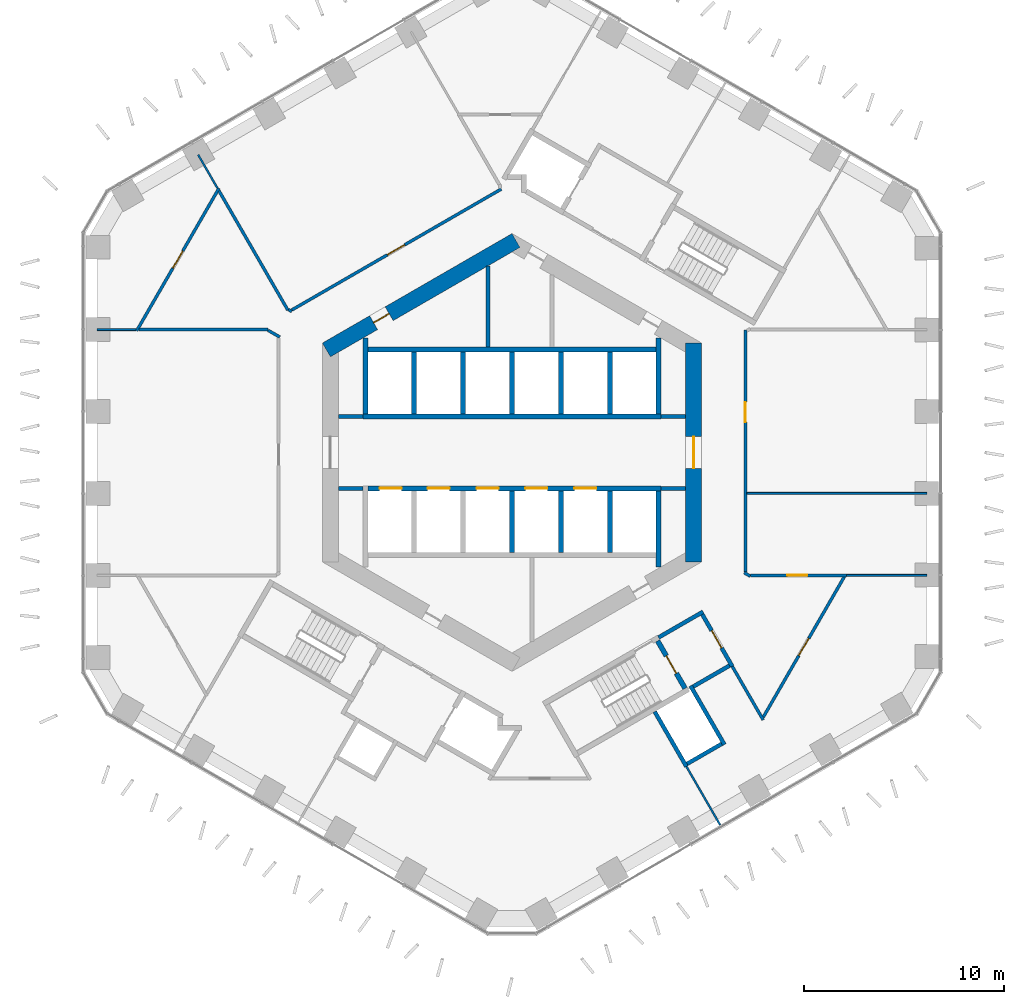
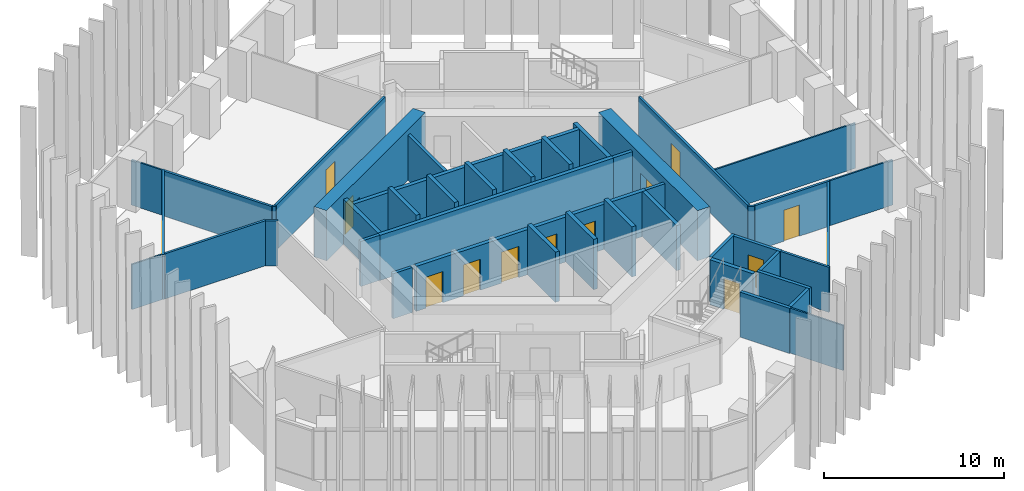
# One storey, part 13 of 18: 44 walls, 14 doors, 14 openings.
"""IFC4 building model written with IfcOpenShell, lengths in metres."""

from ifc_helpers import new_model, si_unit, direction, frame, frame_2d, origin, place, context, subcontext, project, spatial, rectangle, extrude, material, layer, layer_set, type_object, element, fill, save


model = new_model("IFC4")

# Units and contexts
model_context = context("Model", 3, precision=1e-05, world=origin(), true_north=direction((0.0, 1.0)))
body_context = subcontext(model_context, "Body", "Model", "MODEL_VIEW")
ifc_project = project(units=[si_unit("LENGTHUNIT", "METRE"), si_unit("AREAUNIT", "SQUARE_METRE"), si_unit("VOLUMEUNIT", "CUBIC_METRE"), si_unit("PLANEANGLEUNIT", "RADIAN"), si_unit("MASSUNIT", "GRAM", prefix="KILO")], contexts=[model_context])

# Site, building, storey
site_placement = place(None, origin())
site = spatial("IfcSite", under=ifc_project, at=site_placement, CompositionType="ELEMENT")
building_placement = place(site_placement, origin())
building = spatial("IfcBuilding", under=site, at=building_placement, Name="Ayvan Gate Tower", CompositionType="ELEMENT")
storey_placement = place(building_placement, frame((0.0, 0.0, 25.5)))
storey = spatial("IfcBuildingStorey", under=building, at=storey_placement, Name="L05", CompositionType="ELEMENT", Elevation=25.5)

# Wall, opening, door
ifc_material_1 = material(Name="Concrete C70/85", Category="concrete")
ifc_layer_1 = layer(ifc_material_1, 0.800048828125)
ifc_layer_set_1 = layer_set([ifc_layer_1], Name="Concrete C70/85")
wall_type_1 = type_object("IfcWallType", Name="Core wall 800 C70/85", PredefinedType="SHEAR", material=ifc_layer_set_1)
wall_1_placement = place(storey_placement, frame((9.10009765625, -5.48486328125, 0.0), z_axis=(0.0, 0.0, 1.0), x_axis=(0.0, 1.0, 0.0)))
wall_1 = element("IfcWall", 1, at=wall_1_placement, inside=storey, type_object=wall_type_1, Name="CORE-L05-0", PredefinedType="SHEAR", context=body_context, shape_type="SweptSolid", body=[
    extrude(rectangle(XDim=10.9697265625, YDim=0.800048828125, at=frame_2d((5.48486328125, 0.0))), origin(), (0.0, 0.0, 1.0), 3.39990234375),
])
opening_1_placement = place(wall_1_placement, frame((4.684814453125, 0.0, 0.0)))
opening_1 = element("IfcOpeningElement", 2, at=opening_1_placement, cuts=wall_1, Name="Opening L05-D35", PredefinedType="OPENING", context=body_context, shape_type="SweptSolid", body=[
    extrude(rectangle(XDim=1.60009765625, YDim=2.10009765625, at=frame_2d((0.800048828125, 1.050048828125))), frame((0.0, 0.409912109375, 0.0), z_axis=(0.0, -1.0, 0.0), x_axis=(1.0, 0.0, 0.0)), (0.0, 0.0, 1.0), 0.820068359375),
])
ifc_material_2 = material(Name="Timber door leaf", Category="wood")
door_type_1 = type_object("IfcDoorType", Name="DT-1600", OperationType="NOTDEFINED", PredefinedType="DOOR", material=ifc_material_2)
door_1_placement = place(opening_1_placement, origin())
door_1 = element("IfcDoor", 3, at=door_1_placement, inside=storey, type_object=door_type_1, Name="CD-L05-35", OperationType="SINGLE_SWING_RIGHT", OverallHeight=2.10009765625, OverallWidth=1.60009765625, PredefinedType="DOOR", context=body_context, shape_type="SweptSolid", body=[
    extrude(rectangle(XDim=1.60009765625, YDim=2.10009765625, at=frame_2d((0.800048828125, 1.050048828125))), frame((0.0, 0.02490234375, 0.0), z_axis=(0.0, -1.0, 0.0), x_axis=(1.0, 0.0, 0.0)), (0.0, 0.0, 1.0), 0.050048828125),
])
fill(opening_1, door_1)

wall_2_placement = place(storey_placement, frame((0.199951171875, 10.623291015625, 0.0), z_axis=(0.0, 0.0, 1.0), x_axis=(-0.866023993627, -0.500002442456, 0.0)))
wall_2 = element("IfcWall", 4, at=wall_2_placement, inside=storey, type_object=wall_type_1, Name="CORE-L05-2", PredefinedType="SHEAR", context=body_context, shape_type="SweptSolid", body=[
    extrude(rectangle(XDim=10.9697265625, YDim=0.800048828125, at=frame_2d((5.48486328125, 0.0))), origin(), (0.0, 0.0, 1.0), 3.39990234375),
])
opening_2_placement = place(wall_2_placement, frame((7.339111328125, 0.0, 0.0)))
opening_2 = element("IfcOpeningElement", 5, at=opening_2_placement, cuts=wall_2, Name="Opening L05-D30", PredefinedType="OPENING", context=body_context, shape_type="SweptSolid", body=[
    extrude(rectangle(XDim=0.89990234375, YDim=2.10009765625, at=frame_2d((0.449951171875, 1.050048828125))), frame((0.0, 0.409912109375, 0.0), z_axis=(0.0, -1.0, 0.0), x_axis=(1.0, 0.0, 0.0)), (0.0, 0.0, 1.0), 0.820068359375),
])
door_type_2 = type_object("IfcDoorType", Name="DT-900", OperationType="NOTDEFINED", PredefinedType="DOOR", material=ifc_material_2)
door_2_placement = place(opening_2_placement, origin())
door_2 = element("IfcDoor", 6, at=door_2_placement, inside=storey, type_object=door_type_2, Name="CD-L05-30", OperationType="SINGLE_SWING_LEFT", OverallHeight=2.10009765625, OverallWidth=0.89990234375, PredefinedType="DOOR", context=body_context, shape_type="SweptSolid", body=[
    extrude(rectangle(XDim=0.89990234375, YDim=2.10009765625, at=frame_2d((0.449951171875, 1.050048828125))), frame((0.0, 0.02490234375, 0.0), z_axis=(0.0, -1.0, 0.0), x_axis=(1.0, 0.0, 0.0)), (0.0, 0.0, 1.0), 0.050048828125),
])
fill(opening_2, door_2)

ifc_material_3 = material(Name="Plasterboard on steel stud", Category="steel")
ifc_layer_2 = layer(ifc_material_3, 0.14990234375)
ifc_layer_set_2 = layer_set([ifc_layer_2], Name="Plasterboard on steel stud")
wall_type_2 = type_object("IfcWallType", Name="WT-CORR-150", PredefinedType="PARTITIONING", material=ifc_layer_set_2)
wall_3_placement = place(storey_placement, frame((-18.807861328125, 6.095703125, 0.0), z_axis=(0.0, 0.0, 1.0), x_axis=(0.499999979418, 0.866025415668, 0.0)))
wall_3 = element("IfcWall", 7, at=wall_3_placement, inside=storey, type_object=wall_type_2, Name="IW-L05-002", PredefinedType="PARTITIONING", context=body_context, shape_type="SweptSolid", body=[
    extrude(rectangle(XDim=8.24951171875, YDim=0.14990234375, at=frame_2d((4.124755859375, 0.0))), origin(), (0.0, 0.0, 1.0), 3.050048828125),
])
opening_3_placement = place(wall_3_placement, frame((3.624755859375, 0.0, 0.0)))
opening_3 = element("IfcOpeningElement", 8, at=opening_3_placement, cuts=wall_3, Name="Opening L05-D23", PredefinedType="OPENING", context=body_context, shape_type="SweptSolid", body=[
    extrude(rectangle(XDim=1.0, YDim=2.10009765625, at=frame_2d((0.5, 1.050048828125))), frame((0.0, 0.0849609375, 0.0), z_axis=(0.0, -1.0, 0.0), x_axis=(1.0, 0.0, 0.0)), (0.0, 0.0, 1.0), 0.169921875),
])
door_type_3 = type_object("IfcDoorType", Name="DT-1000", OperationType="NOTDEFINED", PredefinedType="DOOR", material=ifc_material_2)
door_3_placement = place(opening_3_placement, origin())
door_3 = element("IfcDoor", 9, at=door_3_placement, inside=storey, type_object=door_type_3, Name="ID-L05-023", OperationType="SINGLE_SWING_RIGHT", OverallHeight=2.10009765625, OverallWidth=1.0, PredefinedType="DOOR", context=body_context, shape_type="SweptSolid", body=[
    extrude(rectangle(XDim=1.0, YDim=2.10009765625, at=frame_2d((0.5, 1.050048828125))), frame((0.0, 0.02490234375, 0.0), z_axis=(0.0, -1.0, 0.0), x_axis=(1.0, 0.0, 0.0)), (0.0, 0.0, 1.0), 0.050048828125),
])
fill(opening_3, door_3)

# Walls
wall_4_placement = place(storey_placement, frame((-14.68310546875, 13.110107421875, 0.0), z_axis=(0.0, 0.0, 1.0), x_axis=(0.499998129301, -0.86602648383, 0.0)))
element("IfcWall", 10, at=wall_4_placement, inside=storey, type_object=wall_type_2, Name="IW-L05-007", PredefinedType="PARTITIONING", context=body_context, shape_type="SweptSolid", body=[
    extrude(rectangle(XDim=6.8994140625, YDim=0.14990234375, at=frame_2d((3.44970703125, 0.0))), origin(), (0.0, 0.0, 1.0), 3.050048828125),
])
wall_5_placement = place(storey_placement, frame((-12.2158203125, 6.160888671875, 0.0), z_axis=(0.0, 0.0, 1.0), x_axis=(-1.0, 0.0, 0.0)))
element("IfcWall", 11, at=wall_5_placement, inside=storey, type_object=wall_type_2, Name="IW-L05-010", PredefinedType="PARTITIONING", context=body_context, shape_type="SweptSolid", body=[
    extrude(rectangle(XDim=6.4794921875, YDim=0.14990234375, at=frame_2d((3.23974609375, 0.0))), origin(), (0.0, 0.0, 1.0), 3.050048828125),
])
wall_6_placement = place(storey_placement, frame((-11.635009765625, 5.7822265625, 0.0), z_axis=(0.0, 0.0, 1.0), x_axis=(-0.866054481515, 0.499949632511, 0.0)))
element("IfcWall", 12, at=wall_6_placement, inside=storey, type_object=wall_type_2, Name="IW-L05-013", PredefinedType="PARTITIONING", context=body_context, shape_type="SweptSolid", body=[
    extrude(rectangle(XDim=0.68212890625, YDim=0.14990234375, at=frame_2d((0.341064453125, 0.0))), origin(), (0.0, 0.0, 1.0), 3.050048828125),
])
wall_7_placement = place(storey_placement, frame((-11.205810546875, 7.16259765625, 0.0), z_axis=(0.0, 0.0, 1.0), x_axis=(0.866103179807, -0.499865263774, 0.0)))
element("IfcWall", 13, at=wall_7_placement, inside=storey, type_object=wall_type_2, Name="IW-L05-015", PredefinedType="PARTITIONING", context=body_context, shape_type="SweptSolid", body=[
    extrude(rectangle(XDim=0.197265625, YDim=0.14990234375, at=frame_2d((0.0986328125, 0.0))), origin(), (0.0, 0.0, 1.0), 3.050048828125),
])

# Wall, opening, door
wall_8_placement = place(storey_placement, frame((-11.034912109375, 7.138916015625, 0.0), z_axis=(0.0, 0.0, 1.0), x_axis=(0.866022616891, 0.50000482701, 0.0)))
wall_8 = element("IfcWall", 14, at=wall_8_placement, inside=storey, type_object=wall_type_2, Name="IW-L05-016", PredefinedType="PARTITIONING", context=body_context, shape_type="SweptSolid", body=[
    extrude(rectangle(XDim=12.12451171875, YDim=0.14990234375, at=frame_2d((6.062255859375, 0.0))), origin(), (0.0, 0.0, 1.0), 3.050048828125),
])
opening_4_placement = place(wall_8_placement, frame((5.524658203125, 0.0, 0.0)))
opening_4 = element("IfcOpeningElement", 15, at=opening_4_placement, cuts=wall_8, Name="Opening L05-D29", PredefinedType="OPENING", context=body_context, shape_type="SweptSolid", body=[
    extrude(rectangle(XDim=1.0, YDim=2.10009765625, at=frame_2d((0.5, 1.050048828125))), frame((0.0, 0.0849609375, 0.0), z_axis=(0.0, -1.0, 0.0), x_axis=(1.0, 0.0, 0.0)), (0.0, 0.0, 1.0), 0.169921875),
])
door_4_placement = place(opening_4_placement, origin())
door_4 = element("IfcDoor", 16, at=door_4_placement, inside=storey, type_object=door_type_3, Name="ID-L05-029", OperationType="SINGLE_SWING_RIGHT", OverallHeight=2.10009765625, OverallWidth=1.0, PredefinedType="DOOR", context=body_context, shape_type="SweptSolid", body=[
    extrude(rectangle(XDim=1.0, YDim=2.10009765625, at=frame_2d((0.5, 1.050048828125))), frame((0.0, 0.02490234375, 0.0), z_axis=(0.0, -1.0, 0.0), x_axis=(1.0, 0.0, 0.0)), (0.0, 0.0, 1.0), 0.050048828125),
])
fill(opening_4, door_4)

# Wall
wall_9_placement = place(storey_placement, frame((11.635009765625, -6.024658203125, 0.0), z_axis=(0.0, 0.0, 1.0), x_axis=(0.866115353951, -0.499844169366, 0.0)))
element("IfcWall", 17, at=wall_9_placement, inside=storey, type_object=wall_type_2, Name="IW-L05-094", PredefinedType="PARTITIONING", context=body_context, shape_type="SweptSolid", body=[
    extrude(rectangle(XDim=0.34716796875, YDim=0.14990234375, at=frame_2d((0.173583984375, 0.0))), origin(), (0.0, 0.0, 1.0), 3.050048828125),
])

# Wall, opening, door
wall_10_placement = place(storey_placement, frame((11.699951171875, -5.9873046875, 0.0), z_axis=(0.0, 0.0, 1.0), x_axis=(0.0, 1.0, 0.0)))
wall_10 = element("IfcWall", 18, at=wall_10_placement, inside=storey, type_object=wall_type_2, Name="IW-L05-095", PredefinedType="PARTITIONING", context=body_context, shape_type="SweptSolid", body=[
    extrude(rectangle(XDim=12.12451171875, YDim=0.14990234375, at=frame_2d((6.062255859375, 0.0))), origin(), (0.0, 0.0, 1.0), 3.050048828125),
])
opening_5_placement = place(wall_10_placement, frame((7.506591796875, 0.0, 0.0)))
opening_5 = element("IfcOpeningElement", 19, at=opening_5_placement, cuts=wall_10, Name="Opening L05-D18", PredefinedType="OPENING", context=body_context, shape_type="SweptSolid", body=[
    extrude(rectangle(XDim=1.0, YDim=2.10009765625, at=frame_2d((0.5, 1.050048828125))), frame((0.0, 0.0849609375, 0.0), z_axis=(0.0, -1.0, 0.0), x_axis=(1.0, 0.0, 0.0)), (0.0, 0.0, 1.0), 0.169921875),
])
door_5_placement = place(opening_5_placement, origin())
door_5 = element("IfcDoor", 20, at=door_5_placement, inside=storey, type_object=door_type_3, Name="ID-L05-018", OperationType="SINGLE_SWING_LEFT", OverallHeight=2.10009765625, OverallWidth=1.0, PredefinedType="DOOR", context=body_context, shape_type="SweptSolid", body=[
    extrude(rectangle(XDim=1.0, YDim=2.10009765625, at=frame_2d((0.5, 1.050048828125))), frame((0.0, 0.02490234375, 0.0), z_axis=(0.0, -1.0, 0.0), x_axis=(1.0, 0.0, 0.0)), (0.0, 0.0, 1.0), 0.050048828125),
])
fill(opening_5, door_5)

wall_11_placement = place(storey_placement, frame((11.94580078125, -6.160888671875, 0.0), z_axis=(0.0, 0.0, 1.0), x_axis=(1.0, 0.0, 0.0)))
wall_11 = element("IfcWall", 21, at=wall_11_placement, inside=storey, type_object=wall_type_2, Name="IW-L05-097", PredefinedType="PARTITIONING", context=body_context, shape_type="SweptSolid", body=[
    extrude(rectangle(XDim=4.821044921875, YDim=0.14990234375, at=frame_2d((2.41064453125, 0.0))), origin(), (0.0, 0.0, 1.0), 3.050048828125),
])
opening_6_placement = place(wall_11_placement, frame((1.855712890625, 0.0, 0.0)))
opening_6 = element("IfcOpeningElement", 22, at=opening_6_placement, cuts=wall_11, Name="Opening L05-D17", PredefinedType="OPENING", context=body_context, shape_type="SweptSolid", body=[
    extrude(rectangle(XDim=1.0, YDim=2.10009765625, at=frame_2d((0.5, 1.050048828125))), frame((0.0, 0.0849609375, 0.0), z_axis=(0.0, -1.0, 0.0), x_axis=(1.0, 0.0, 0.0)), (0.0, 0.0, 1.0), 0.169921875),
])
door_6_placement = place(opening_6_placement, origin())
door_6 = element("IfcDoor", 23, at=door_6_placement, inside=storey, type_object=door_type_3, Name="ID-L05-017", OperationType="SINGLE_SWING_RIGHT", OverallHeight=2.10009765625, OverallWidth=1.0, PredefinedType="DOOR", context=body_context, shape_type="SweptSolid", body=[
    extrude(rectangle(XDim=1.0, YDim=2.10009765625, at=frame_2d((0.5, 1.050048828125))), frame((0.0, 0.02490234375, 0.0), z_axis=(0.0, -1.0, 0.0), x_axis=(1.0, 0.0, 0.0)), (0.0, 0.0, 1.0), 0.050048828125),
])
fill(opening_6, door_6)

# Wall
wall_12_placement = place(storey_placement, frame((12.586669921875, -13.40087890625, 0.0), z_axis=(0.0, 0.0, 1.0), x_axis=(-0.499952049853, 0.866053086045, 0.0)))
element("IfcWall", 24, at=wall_12_placement, inside=storey, type_object=wall_type_2, Name="IW-L05-100", PredefinedType="PARTITIONING", context=body_context, shape_type="SweptSolid", body=[
    extrude(rectangle(XDim=3.098876953125, YDim=0.14990234375, at=frame_2d((1.54931640625, 0.0))), origin(), (0.0, 0.0, 1.0), 3.050048828125),
])

# Wall, opening, door
wall_13_placement = place(storey_placement, frame((16.654296875, -6.2255859375, 0.0), z_axis=(0.0, 0.0, 1.0), x_axis=(-0.499996082157, -0.86602766574, 0.0)))
wall_13 = element("IfcWall", 25, at=wall_13_placement, inside=storey, type_object=wall_type_2, Name="IW-L05-105", PredefinedType="PARTITIONING", context=body_context, shape_type="SweptSolid", body=[
    extrude(rectangle(XDim=8.13525390625, YDim=0.14990234375, at=frame_2d((4.067626953125, 0.0))), origin(), (0.0, 0.0, 1.0), 3.050048828125),
])
opening_7_placement = place(wall_13_placement, frame((3.567626953125, 0.0, 0.0)))
opening_7 = element("IfcOpeningElement", 26, at=opening_7_placement, cuts=wall_13, Name="Opening L05-D28", PredefinedType="OPENING", context=body_context, shape_type="SweptSolid", body=[
    extrude(rectangle(XDim=1.0, YDim=2.10009765625, at=frame_2d((0.5, 1.050048828125))), frame((0.0, 0.0849609375, 0.0), z_axis=(0.0, -1.0, 0.0), x_axis=(1.0, 0.0, 0.0)), (0.0, 0.0, 1.0), 0.169921875),
])
door_7_placement = place(opening_7_placement, origin())
door_7 = element("IfcDoor", 27, at=door_7_placement, inside=storey, type_object=door_type_3, Name="ID-L05-028", OperationType="SINGLE_SWING_LEFT", OverallHeight=2.10009765625, OverallWidth=1.0, PredefinedType="DOOR", context=body_context, shape_type="SweptSolid", body=[
    extrude(rectangle(XDim=1.0, YDim=2.10009765625, at=frame_2d((0.5, 1.050048828125))), frame((0.0, 0.02490234375, 0.0), z_axis=(0.0, -1.0, 0.0), x_axis=(1.0, 0.0, 0.0)), (0.0, 0.0, 1.0), 0.050048828125),
])
fill(opening_7, door_7)

# Walls
ifc_layer_3 = layer(ifc_material_3, 0.10009765625)
ifc_layer_set_3 = layer_set([ifc_layer_3], Name="Plasterboard on steel stud")
wall_type_3 = type_object("IfcWallType", Name="WT-PART-100", PredefinedType="PARTITIONING", material=ifc_layer_set_3)
for number, where, z_axis, x_axis, name in (
    (28, (-18.84521484375, 6.160888671875, 0.0), (0.0, 0.0, 1.0), (-1.0, 0.0, 0.0), "IW-L05-001"),
    (29, (-15.727783203125, 14.919677734375, 0.0), (0.0, 0.0, 1.0), (0.49998396455, -0.866034661658, 0.0), "IW-L05-004"),
):
    element("IfcWall", number, at=place(storey_placement, frame(where, z_axis=z_axis, x_axis=x_axis)), inside=storey, type_object=wall_type_3, Name=name, PredefinedType="PARTITIONING", context=body_context, shape_type="SweptSolid", body=[
        extrude(rectangle(XDim=1.939453125, YDim=0.10009765625, at=frame_2d((0.9697265625, 0.0))), origin(), (0.0, 0.0, 1.0), 3.050048828125),
    ])
wall_14_placement = place(storey_placement, frame((8.739990234375, -15.73828125, 0.0), z_axis=(0.0, 0.0, 1.0), x_axis=(0.4999912383, -0.866030462295, 0.0)))
element("IfcWall", 30, at=wall_14_placement, inside=storey, type_object=wall_type_3, Name="IW-L05-086", PredefinedType="PARTITIONING", context=body_context, shape_type="SweptSolid", body=[
    extrude(rectangle(XDim=3.380859375, YDim=0.10009765625, at=frame_2d((1.6904296875, 0.0))), origin(), (0.0, 0.0, 1.0), 3.050048828125),
])
wall_15_placement = place(storey_placement, frame((11.77490234375, -2.0537109375, 0.0), z_axis=(0.0, 0.0, 1.0), x_axis=(1.0, 0.0, 0.0)))
element("IfcWall", 31, at=wall_15_placement, inside=storey, type_object=wall_type_3, Name="IW-L05-096", PredefinedType="PARTITIONING", context=body_context, shape_type="SweptSolid", body=[
    extrude(rectangle(XDim=9.009765625, YDim=0.10009765625, at=frame_2d((4.5048828125, 0.0))), origin(), (0.0, 0.0, 1.0), 3.050048828125),
])
wall_16_placement = place(storey_placement, frame((20.78466796875, -6.160888671875, 0.0), z_axis=(0.0, 0.0, 1.0), x_axis=(-1.0, 0.0, 0.0)))
element("IfcWall", 32, at=wall_16_placement, inside=storey, type_object=wall_type_3, Name="IW-L05-108", PredefinedType="PARTITIONING", context=body_context, shape_type="SweptSolid", body=[
    extrude(rectangle(XDim=4.01806640625, YDim=0.10009765625, at=frame_2d((2.009033203125, 0.0))), origin(), (0.0, 0.0, 1.0), 3.050048828125),
])
ifc_layer_4 = layer(ifc_material_3, 0.199951171875)
ifc_layer_set_4 = layer_set([ifc_layer_4], Name="Plasterboard on steel stud")
wall_type_4 = type_object("IfcWallType", Name="WT-PLUMB-200", PredefinedType="PLUMBINGWALL", material=ifc_layer_set_4)
wall_17_placement = place(storey_placement, frame((8.740234375, -15.738525390625, 0.0), z_axis=(0.0, 0.0, 1.0), x_axis=(-0.500017526161, 0.866015284814, 0.0)))
element("IfcWall", 33, at=wall_17_placement, inside=storey, type_object=wall_type_4, Name="IW-L05-087", PredefinedType="PLUMBINGWALL", context=body_context, shape_type="SweptSolid", body=[
    extrude(rectangle(XDim=3.17529296875, YDim=0.199951171875, at=frame_2d((1.587646484375, 0.0))), origin(), (0.0, 0.0, 1.0), 3.050048828125),
])
wall_18_placement = place(storey_placement, frame((8.9453125, -11.694091796875, 0.0), z_axis=(0.0, 0.0, 1.0), x_axis=(0.500062241894, -0.865989465428, 0.0)))
element("IfcWall", 34, at=wall_18_placement, inside=storey, type_object=wall_type_4, Name="IW-L05-089", PredefinedType="PLUMBINGWALL", context=body_context, shape_type="SweptSolid", body=[
    extrude(rectangle(XDim=3.39990234375, YDim=0.199951171875, at=frame_2d((1.699951171875, 0.0))), origin(), (0.0, 0.0, 1.0), 3.050048828125),
])
wall_19_placement = place(storey_placement, frame((10.5087890625, -14.601806640625, 0.0), z_axis=(0.0, 0.0, 1.0), x_axis=(-0.866010750942, -0.50002537861, 0.0)))
element("IfcWall", 35, at=wall_19_placement, inside=storey, type_object=wall_type_4, Name="IW-L05-092", PredefinedType="PLUMBINGWALL", context=body_context, shape_type="SweptSolid", body=[
    extrude(rectangle(XDim=2.0, YDim=0.199951171875, at=frame_2d((1.0, 0.0))), origin(), (0.0, 0.0, 1.0), 3.050048828125),
])
ifc_layer_5 = layer(ifc_material_3, 0.199951171875)
ifc_layer_set_5 = layer_set([ifc_layer_5], Name="Plasterboard on steel stud")
wall_type_5 = type_object("IfcWallType", Name="WT-RATED-200", PredefinedType="PARTITIONING", material=ifc_layer_set_5)
for number, where, z_axis, x_axis, name in (
    (36, (-8.699951171875, 1.800048828125, 0.0), (0.0, 0.0, 1.0), (1.0, 0.0, 0.0), "IW-L05-019"),
    (37, (-7.474853515625, -1.800048828125, 0.0), (0.0, 0.0, 1.0), (-1.0, 0.0, 0.0), "IW-L05-027"),
):
    element("IfcWall", number, at=place(storey_placement, frame(where, z_axis=z_axis, x_axis=x_axis)), inside=storey, type_object=wall_type_5, Name=name, PredefinedType="PARTITIONING", context=body_context, shape_type="SweptSolid", body=[
        extrude(rectangle(XDim=1.22509765625, YDim=0.199951171875, at=frame_2d((0.612548828125, 0.0))), origin(), (0.0, 0.0, 1.0), 3.050048828125),
    ])
wall_20_placement = place(storey_placement, frame((-1.199951171875, 9.35302734375, 0.0), z_axis=(0.0, 0.0, 1.0), x_axis=(0.0, -1.0, 0.0)))
element("IfcWall", 38, at=wall_20_placement, inside=storey, type_object=wall_type_5, Name="IW-L05-045", PredefinedType="PARTITIONING", context=body_context, shape_type="SweptSolid", body=[
    extrude(rectangle(XDim=4.078125, YDim=0.199951171875, at=frame_2d((2.0390625, 0.0))), origin(), (0.0, 0.0, 1.0), 3.050048828125),
])
wall_21_placement = place(storey_placement, frame((7.343994140625, -9.27001953125, 0.0), z_axis=(0.0, 0.0, 1.0), x_axis=(0.866005588531, 0.500034319456, 0.0)))
element("IfcWall", 39, at=wall_21_placement, inside=storey, type_object=wall_type_5, Name="IW-L05-079", PredefinedType="PARTITIONING", context=body_context, shape_type="SweptSolid", body=[
    extrude(rectangle(XDim=2.574951171875, YDim=0.199951171875, at=frame_2d((1.28759765625, 0.0))), origin(), (0.0, 0.0, 1.0), 3.050048828125),
])
for number, where, z_axis, x_axis, name in (
    (40, (7.474853515625, 1.800048828125, 0.0), (0.0, 0.0, 1.0), (1.0, 0.0, 0.0), "IW-L05-080"),
    (41, (8.699951171875, -1.800048828125, 0.0), (0.0, 0.0, 1.0), (-1.0, 0.0, 0.0), "IW-L05-088"),
):
    element("IfcWall", number, at=place(storey_placement, frame(where, z_axis=z_axis, x_axis=x_axis)), inside=storey, type_object=wall_type_5, Name=name, PredefinedType="PARTITIONING", context=body_context, shape_type="SweptSolid", body=[
        extrude(rectangle(XDim=1.22509765625, YDim=0.199951171875, at=frame_2d((0.612548828125, 0.0))), origin(), (0.0, 0.0, 1.0), 3.050048828125),
    ])

# Wall, opening, door
wall_22_placement = place(storey_placement, frame((9.537353515625, -8.119140625, 0.0), z_axis=(0.0, 0.0, 1.0), x_axis=(0.499990139034, -0.866031096941, 0.0)))
wall_22 = element("IfcWall", 42, at=wall_22_placement, inside=storey, type_object=wall_type_5, Name="IW-L05-091", PredefinedType="PARTITIONING", context=body_context, shape_type="SweptSolid", body=[
    extrude(rectangle(XDim=3.0, YDim=0.199951171875, at=frame_2d((1.5, 0.0))), origin(), (0.0, 0.0, 1.0), 3.050048828125),
])
opening_8_placement = place(wall_22_placement, frame((0.93505859375, 0.0, 0.0)))
opening_8 = element("IfcOpeningElement", 43, at=opening_8_placement, cuts=wall_22, Name="Opening L05-D15", PredefinedType="OPENING", context=body_context, shape_type="SweptSolid", body=[
    extrude(rectangle(XDim=1.0, YDim=2.10009765625, at=frame_2d((0.5, 1.050048828125))), frame((0.0, 0.10986328125, 0.0), z_axis=(0.0, -1.0, 0.0), x_axis=(1.0, 0.0, 0.0)), (0.0, 0.0, 1.0), 0.219970703125),
])
door_8_placement = place(opening_8_placement, origin())
door_8 = element("IfcDoor", 44, at=door_8_placement, inside=storey, type_object=door_type_3, Name="ID-L05-015", OperationType="SINGLE_SWING_RIGHT", OverallHeight=2.10009765625, OverallWidth=1.0, PredefinedType="DOOR", context=body_context, shape_type="SweptSolid", body=[
    extrude(rectangle(XDim=1.0, YDim=2.10009765625, at=frame_2d((0.5, 1.050048828125))), frame((0.0, 0.02490234375, 0.0), z_axis=(0.0, -1.0, 0.0), x_axis=(1.0, 0.0, 0.0)), (0.0, 0.0, 1.0), 0.050048828125),
])
fill(opening_8, door_8)

# Walls
wall_23_placement = place(storey_placement, frame((10.900634765625, -10.6806640625, 0.0), z_axis=(0.0, 0.0, 1.0), x_axis=(-0.866009402589, -0.500027713859, 0.0)))
element("IfcWall", 45, at=wall_23_placement, inside=storey, type_object=wall_type_5, Name="IW-L05-093", PredefinedType="PARTITIONING", context=body_context, shape_type="SweptSolid", body=[
    extrude(rectangle(XDim=2.10009765625, YDim=0.199951171875, at=frame_2d((1.050048828125, 0.0))), origin(), (0.0, 0.0, 1.0), 3.050048828125),
])
ifc_material_4 = material(Name="Concrete C50/60", Category="concrete")
ifc_layer_6 = layer(ifc_material_4, 0.25)
ifc_layer_set_6 = layer_set([ifc_layer_6], Name="Concrete C50/60")
wall_type_6 = type_object("IfcWallType", Name="WT-RC-250", PredefinedType="SHEAR", material=ifc_layer_set_6)
wall_24_placement = place(storey_placement, frame((-7.47509765625, 1.800048828125, 0.0), z_axis=(0.0, 0.0, 1.0), x_axis=(1.0, 0.0, 0.0)))
element("IfcWall", 46, at=wall_24_placement, inside=storey, type_object=wall_type_6, Name="IW-L05-023", PredefinedType="SHEAR", context=body_context, shape_type="SweptSolid", body=[
    extrude(rectangle(XDim=14.9501953125, YDim=0.25, at=frame_2d((7.47509765625, 0.0))), origin(), (0.0, 0.0, 1.0), 3.050048828125),
])
wall_25_placement = place(storey_placement, frame((-7.35009765625, 1.925048828125, 0.0), z_axis=(0.0, 0.0, 1.0), x_axis=(0.0, 1.0, 0.0)))
element("IfcWall", 47, at=wall_25_placement, inside=storey, type_object=wall_type_6, Name="IW-L05-025", PredefinedType="SHEAR", context=body_context, shape_type="SweptSolid", body=[
    extrude(rectangle(XDim=3.80517578125, YDim=0.25, at=frame_2d((1.902587890625, 0.0))), origin(), (0.0, 0.0, 1.0), 3.050048828125),
])
wall_26_placement = place(storey_placement, frame((-7.22509765625, 5.14990234375, 0.0), z_axis=(0.0, 0.0, 1.0), x_axis=(1.0, 0.0, 0.0)))
element("IfcWall", 48, at=wall_26_placement, inside=storey, type_object=wall_type_6, Name="IW-L05-026", PredefinedType="SHEAR", context=body_context, shape_type="SweptSolid", body=[
    extrude(rectangle(XDim=14.7001953125, YDim=0.25, at=frame_2d((7.35009765625, 0.0))), origin(), (0.0, 0.0, 1.0), 3.050048828125),
])
wall_27_placement = place(storey_placement, frame((-4.89990234375, 5.02490234375, 0.0), z_axis=(0.0, 0.0, 1.0), x_axis=(0.0, -1.0, 0.0)))
element("IfcWall", 49, at=wall_27_placement, inside=storey, type_object=wall_type_6, Name="IW-L05-035", PredefinedType="SHEAR", context=body_context, shape_type="SweptSolid", body=[
    extrude(rectangle(XDim=3.099853515625, YDim=0.25, at=frame_2d((1.5498046875, 0.0))), origin(), (0.0, 0.0, 1.0), 3.39990234375),
])

# Wall, openings, doors
wall_28_placement = place(storey_placement, frame((-7.22509765625, -1.800048828125, 0.0), z_axis=(0.0, 0.0, 1.0), x_axis=(1.0, 0.0, 0.0)))
wall_28 = element("IfcWall", 50, at=wall_28_placement, inside=storey, type_object=wall_type_6, Name="IW-L05-036", PredefinedType="SHEAR", context=body_context, shape_type="SweptSolid", body=[
    extrude(rectangle(XDim=14.7001953125, YDim=0.25, at=frame_2d((7.35009765625, 0.0))), origin(), (0.0, 0.0, 1.0), 3.050048828125),
])
opening_9_placement = place(wall_28_placement, frame((0.597412109375, 0.0, 0.0)))
opening_9 = element("IfcOpeningElement", 51, at=opening_9_placement, cuts=wall_28, Name="Opening L05-LD-LR1", PredefinedType="OPENING", context=body_context, shape_type="SweptSolid", body=[
    extrude(rectangle(XDim=1.10009765625, YDim=2.10009765625, at=frame_2d((0.550048828125, 1.050048828125))), frame((0.0, 0.135009765625, 0.0), z_axis=(0.0, -1.0, 0.0), x_axis=(1.0, 0.0, 0.0)), (0.0, 0.0, 1.0), 0.27001953125),
])
opening_10_placement = place(wall_28_placement, frame((3.0, 0.0, 0.0)))
opening_10 = element("IfcOpeningElement", 52, at=opening_10_placement, cuts=wall_28, Name="Opening L05-LD-LR2", PredefinedType="OPENING", context=body_context, shape_type="SweptSolid", body=[
    extrude(rectangle(XDim=1.10009765625, YDim=2.10009765625, at=frame_2d((0.550048828125, 1.050048828125))), frame((0.0, 0.135009765625, 0.0), z_axis=(0.0, -1.0, 0.0), x_axis=(1.0, 0.0, 0.0)), (0.0, 0.0, 1.0), 0.27001953125),
])
opening_11_placement = place(wall_28_placement, frame((5.4501953125, 0.0, 0.0)))
opening_11 = element("IfcOpeningElement", 53, at=opening_11_placement, cuts=wall_28, Name="Opening L05-LD-LR3", PredefinedType="OPENING", context=body_context, shape_type="SweptSolid", body=[
    extrude(rectangle(XDim=1.10009765625, YDim=2.10009765625, at=frame_2d((0.550048828125, 1.050048828125))), frame((0.0, 0.135009765625, 0.0), z_axis=(0.0, -1.0, 0.0), x_axis=(1.0, 0.0, 0.0)), (0.0, 0.0, 1.0), 0.27001953125),
])
opening_12_placement = place(wall_28_placement, frame((7.900146484375, 0.0, 0.0)))
opening_12 = element("IfcOpeningElement", 54, at=opening_12_placement, cuts=wall_28, Name="Opening L05-LD-LR4", PredefinedType="OPENING", context=body_context, shape_type="SweptSolid", body=[
    extrude(rectangle(XDim=1.10009765625, YDim=2.10009765625, at=frame_2d((0.550048828125, 1.050048828125))), frame((0.0, 0.135009765625, 0.0), z_axis=(0.0, -1.0, 0.0), x_axis=(1.0, 0.0, 0.0)), (0.0, 0.0, 1.0), 0.27001953125),
])
opening_13_placement = place(wall_28_placement, frame((10.35009765625, 0.0, 0.0)))
opening_13 = element("IfcOpeningElement", 55, at=opening_13_placement, cuts=wall_28, Name="Opening L05-LD-SV", PredefinedType="OPENING", context=body_context, shape_type="SweptSolid", body=[
    extrude(rectangle(XDim=1.10009765625, YDim=2.10009765625, at=frame_2d((0.550048828125, 1.050048828125))), frame((0.0, 0.135009765625, 0.0), z_axis=(0.0, -1.0, 0.0), x_axis=(1.0, 0.0, 0.0)), (0.0, 0.0, 1.0), 0.27001953125),
])
ifc_material_5 = material(Name="Stainless steel landing door", Category="steel")
door_type_4 = type_object("IfcDoorType", Name="DT-LANDING-1100", OperationType="SLIDING_TO_LEFT", PredefinedType="DOOR", material=ifc_material_5)
door_9_placement = place(opening_9_placement, origin())
door_9 = element("IfcDoor", 56, at=door_9_placement, inside=storey, type_object=door_type_4, Name="ID-L05-001", OperationType="SLIDING_TO_LEFT", OverallHeight=2.10009765625, OverallWidth=1.10009765625, PredefinedType="DOOR", context=body_context, shape_type="SweptSolid", body=[
    extrude(rectangle(XDim=1.10009765625, YDim=2.10009765625, at=frame_2d((0.550048828125, 1.050048828125))), frame((0.0, 0.02490234375, 0.0), z_axis=(0.0, -1.0, 0.0), x_axis=(1.0, 0.0, 0.0)), (0.0, 0.0, 1.0), 0.050048828125),
])
fill(opening_9, door_9)
door_10_placement = place(opening_10_placement, origin())
door_10 = element("IfcDoor", 57, at=door_10_placement, inside=storey, type_object=door_type_4, Name="ID-L05-002", OperationType="SLIDING_TO_LEFT", OverallHeight=2.10009765625, OverallWidth=1.10009765625, PredefinedType="DOOR", context=body_context, shape_type="SweptSolid", body=[
    extrude(rectangle(XDim=1.10009765625, YDim=2.10009765625, at=frame_2d((0.550048828125, 1.050048828125))), frame((0.0, 0.02490234375, 0.0), z_axis=(0.0, -1.0, 0.0), x_axis=(1.0, 0.0, 0.0)), (0.0, 0.0, 1.0), 0.050048828125),
])
fill(opening_10, door_10)
door_11_placement = place(opening_11_placement, origin())
door_11 = element("IfcDoor", 58, at=door_11_placement, inside=storey, type_object=door_type_4, Name="ID-L05-003", OperationType="SLIDING_TO_LEFT", OverallHeight=2.10009765625, OverallWidth=1.10009765625, PredefinedType="DOOR", context=body_context, shape_type="SweptSolid", body=[
    extrude(rectangle(XDim=1.10009765625, YDim=2.10009765625, at=frame_2d((0.550048828125, 1.050048828125))), frame((0.0, 0.02490234375, 0.0), z_axis=(0.0, -1.0, 0.0), x_axis=(1.0, 0.0, 0.0)), (0.0, 0.0, 1.0), 0.050048828125),
])
fill(opening_11, door_11)
door_12_placement = place(opening_12_placement, origin())
door_12 = element("IfcDoor", 59, at=door_12_placement, inside=storey, type_object=door_type_4, Name="ID-L05-004", OperationType="SLIDING_TO_LEFT", OverallHeight=2.10009765625, OverallWidth=1.10009765625, PredefinedType="DOOR", context=body_context, shape_type="SweptSolid", body=[
    extrude(rectangle(XDim=1.10009765625, YDim=2.10009765625, at=frame_2d((0.550048828125, 1.050048828125))), frame((0.0, 0.02490234375, 0.0), z_axis=(0.0, -1.0, 0.0), x_axis=(1.0, 0.0, 0.0)), (0.0, 0.0, 1.0), 0.050048828125),
])
fill(opening_12, door_12)
door_13_placement = place(opening_13_placement, origin())
door_13 = element("IfcDoor", 60, at=door_13_placement, inside=storey, type_object=door_type_4, Name="ID-L05-005", OperationType="SLIDING_TO_LEFT", OverallHeight=2.10009765625, OverallWidth=1.10009765625, PredefinedType="DOOR", context=body_context, shape_type="SweptSolid", body=[
    extrude(rectangle(XDim=1.10009765625, YDim=2.10009765625, at=frame_2d((0.550048828125, 1.050048828125))), frame((0.0, 0.02490234375, 0.0), z_axis=(0.0, -1.0, 0.0), x_axis=(1.0, 0.0, 0.0)), (0.0, 0.0, 1.0), 0.050048828125),
])
fill(opening_13, door_13)

# Walls
for number, where, z_axis, x_axis, name in (
    (61, (-2.449951171875, 5.02490234375, 0.0), (0.0, 0.0, 1.0), (0.0, -1.0, 0.0), "IW-L05-044"),
    (62, (0.0, -1.925048828125, 0.0), (0.0, 0.0, 1.0), (0.0, -1.0, 0.0), "IW-L05-053"),
    (63, (0.0, 5.02490234375, 0.0), (0.0, 0.0, 1.0), (0.0, -1.0, 0.0), "IW-L05-054"),
    (64, (2.449951171875, -1.925048828125, 0.0), (0.0, 0.0, 1.0), (0.0, -1.0, 0.0), "IW-L05-063"),
    (65, (2.449951171875, 5.02490234375, 0.0), (0.0, 0.0, 1.0), (0.0, -1.0, 0.0), "IW-L05-064"),
    (66, (4.89990234375, -1.925048828125, 0.0), (0.0, 0.0, 1.0), (0.0, -1.0, 0.0), "IW-L05-073"),
    (67, (4.89990234375, 5.02490234375, 0.0), (0.0, 0.0, 1.0), (0.0, -1.0, 0.0), "IW-L05-074"),
):
    element("IfcWall", number, at=place(storey_placement, frame(where, z_axis=z_axis, x_axis=x_axis)), inside=storey, type_object=wall_type_6, Name=name, PredefinedType="SHEAR", context=body_context, shape_type="SweptSolid", body=[
        extrude(rectangle(XDim=3.099853515625, YDim=0.25, at=frame_2d((1.5498046875, 0.0))), origin(), (0.0, 0.0, 1.0), 3.39990234375),
    ])

# Wall, opening, door
wall_29_placement = place(storey_placement, frame((7.298095703125, -9.44091796875, 0.0), z_axis=(0.0, 0.0, 1.0), x_axis=(0.500034990121, -0.866005201286, 0.0)))
wall_29 = element("IfcWall", 68, at=wall_29_placement, inside=storey, type_object=wall_type_6, Name="IW-L05-078", PredefinedType="SHEAR", context=body_context, shape_type="SweptSolid", body=[
    extrude(rectangle(XDim=2.749755859375, YDim=0.25, at=frame_2d((1.375, 0.0))), origin(), (0.0, 0.0, 1.0), 3.050048828125),
])
opening_14_placement = place(wall_29_placement, frame((0.875, 0.0, 0.0)))
opening_14 = element("IfcOpeningElement", 69, at=opening_14_placement, cuts=wall_29, Name="Opening L05-D16", PredefinedType="OPENING", context=body_context, shape_type="SweptSolid", body=[
    extrude(rectangle(XDim=1.0, YDim=2.10009765625, at=frame_2d((0.5, 1.050048828125))), frame((0.0, 0.135009765625, 0.0), z_axis=(0.0, -1.0, 0.0), x_axis=(1.0, 0.0, 0.0)), (0.0, 0.0, 1.0), 0.27001953125),
])
door_14_placement = place(opening_14_placement, origin())
door_14 = element("IfcDoor", 70, at=door_14_placement, inside=storey, type_object=door_type_3, Name="ID-L05-016", OperationType="SINGLE_SWING_LEFT", OverallHeight=2.10009765625, OverallWidth=1.0, PredefinedType="DOOR", context=body_context, shape_type="SweptSolid", body=[
    extrude(rectangle(XDim=1.0, YDim=2.10009765625, at=frame_2d((0.5, 1.050048828125))), frame((0.0, 0.02490234375, 0.0), z_axis=(0.0, -1.0, 0.0), x_axis=(1.0, 0.0, 0.0)), (0.0, 0.0, 1.0), 0.050048828125),
])
fill(opening_14, door_14)

# Walls
for number, where, z_axis, x_axis, name in (
    (71, (7.35009765625, -1.925048828125, 0.0), (0.0, 0.0, 1.0), (0.0, -1.0, 0.0), "IW-L05-081"),
    (72, (7.35009765625, 5.730224609375, 0.0), (0.0, 0.0, 1.0), (0.0, -1.0, 0.0), "IW-L05-082"),
):
    element("IfcWall", number, at=place(storey_placement, frame(where, z_axis=z_axis, x_axis=x_axis)), inside=storey, type_object=wall_type_6, Name=name, PredefinedType="SHEAR", context=body_context, shape_type="SweptSolid", body=[
        extrude(rectangle(XDim=3.80517578125, YDim=0.25, at=frame_2d((1.902587890625, 0.0))), origin(), (0.0, 0.0, 1.0), 3.050048828125),
    ])

save(model, "model.ifc")
